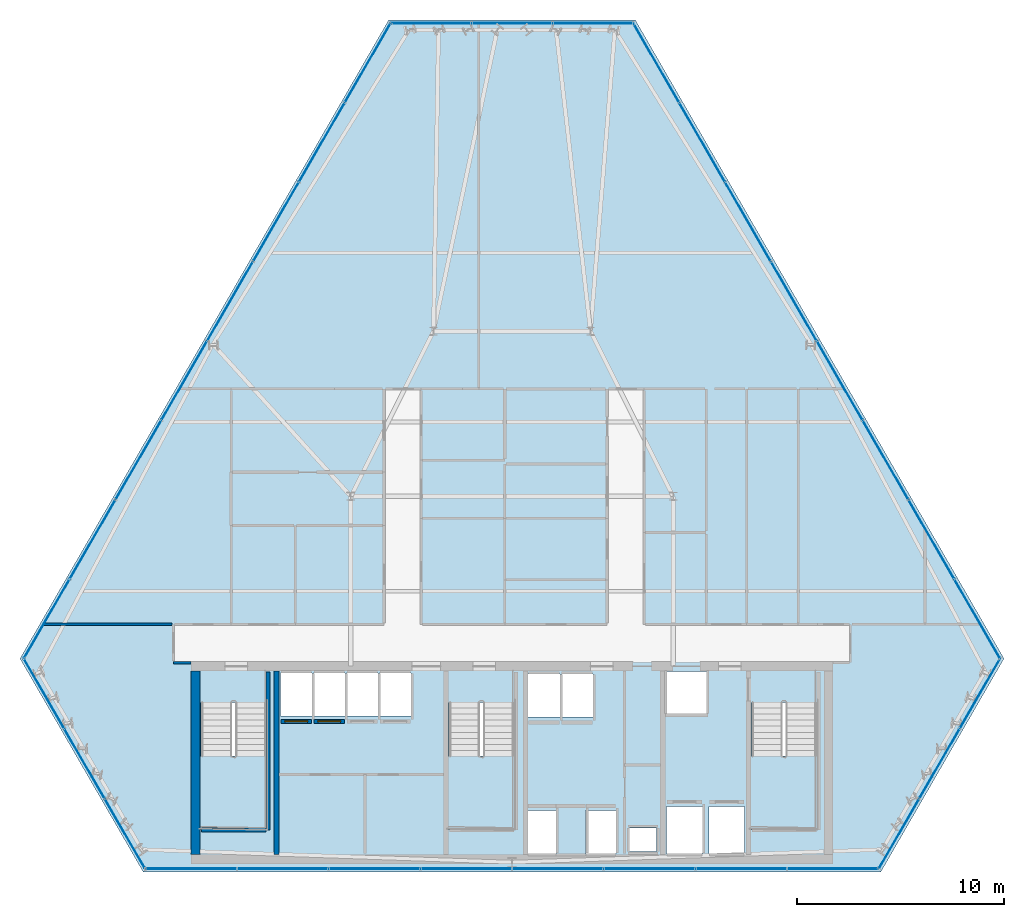
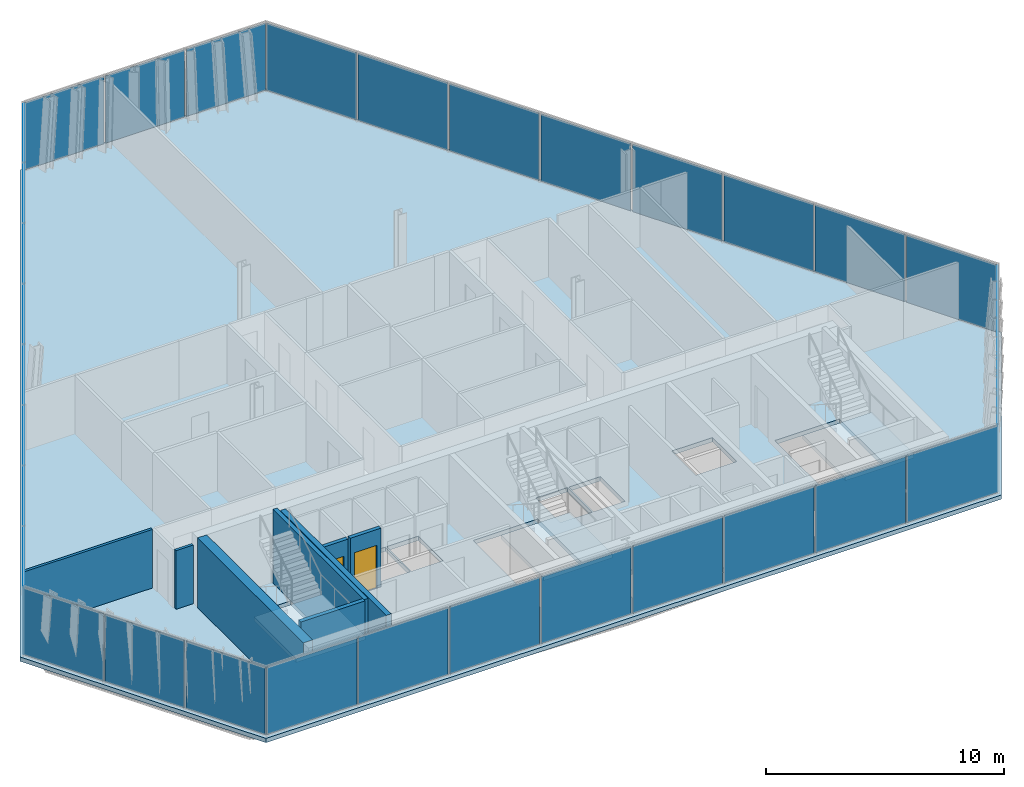
# One storey, part 24 of 31: 33 plates, 8 walls, 4 slabs, 2 doors, 2 openings, 9 elements without a shape of their own.
"""IFC4 building model written with IfcOpenShell, lengths in metres."""

import ifcopenshell
import ifcopenshell.guid

model = None  # the IFC model being written
_history = None  # IfcOwnerHistory: only IFC2X3 demands one
_inside = {}  # id of a spatial element -> (the spatial element, [elements in it])
_under = {}  # id of a project, library or spatial element -> (it, [spatial elements below it])
_declared = {}  # id of a project -> (the project, [libraries it declares])
_typed = {}  # id of a type object -> (the type object, [elements of that type])
_made_of = {}  # id of a material, layer set ... -> (it, [elements and type objects made of it])


def new_model(schema):
    """Start an empty IFC model of exactly this schema.

    Asked for "IFC4X3", IfcOpenShell would pick the latest addendum, in which some entities
    have other attributes; the version numbers below select the first issue.
    IFC2X3 requires an IfcOwnerHistory on every rooted entity: one is made here for all.
    """
    global model, _history
    if schema == "IFC4X3":
        model = ifcopenshell.file(schema_version=(4, 3, 0, 0))
    else:
        model = ifcopenshell.file(schema=schema)
    _inside.clear()
    _under.clear()
    _declared.clear()
    _typed.clear()
    _made_of.clear()
    _history = None
    if model.schema == "IFC2X3":
        org = make("IfcOrganization", Name="unknown")
        user = make(
            "IfcPersonAndOrganization",
            ThePerson=make("IfcPerson", FamilyName="unknown"),
            TheOrganization=org,
        )
        app = make(
            "IfcApplication",
            ApplicationDeveloper=org,
            Version="unknown",
            ApplicationFullName="unknown",
            ApplicationIdentifier="unknown",
        )
        _history = make(
            "IfcOwnerHistory",
            OwningUser=user,
            OwningApplication=app,
            ChangeAction="ADDED",
            CreationDate=0,
        )
    return model


def make(cls, **values):
    """One entity of the class cls with the attributes given. An attribute that is None is left unset."""
    return model.create_entity(
        cls, **{name: value for name, value in values.items() if value is not None}
    )


def rooted(cls, **values):
    """An entity with a GlobalId (a new one), such as an element, a storey or a relation."""
    return make(cls, GlobalId=ifcopenshell.guid.new(), OwnerHistory=_history, **values)


def si_unit(unit_type, name, prefix=None):
    """IfcSIUnit, for example si_unit("LENGTHUNIT", "METRE", prefix="MILLI")."""
    return make("IfcSIUnit", UnitType=unit_type, Prefix=prefix, Name=name)


def assignment(units):
    """IfcUnitAssignment: the units of a project."""
    return None if units is None else make("IfcUnitAssignment", Units=units)


def point(xyz):
    """IfcCartesianPoint."""
    return None if xyz is None else make("IfcCartesianPoint", Coordinates=xyz)


def direction(xyz):
    """IfcDirection."""
    return None if xyz is None else make("IfcDirection", DirectionRatios=xyz)


def frame(location, z_axis=None, x_axis=None):
    """IfcAxis2Placement3D, a coordinate frame: its origin and axes. An axis left out is left unset."""
    return make(
        "IfcAxis2Placement3D",
        Location=point(location),
        Axis=direction(z_axis),
        RefDirection=direction(x_axis),
    )


def frame_2d(location, x_axis=None):
    """IfcAxis2Placement2D, a coordinate frame in the plane: its origin and x axis."""
    return make(
        "IfcAxis2Placement2D", Location=point(location), RefDirection=direction(x_axis)
    )


def origin():
    """The frame at (0, 0, 0) with its axes left unset."""
    return frame((0.0, 0.0, 0.0))


def origin_2d():
    """The frame at (0, 0) in the plane with its x axis left unset."""
    return frame_2d((0.0, 0.0))


def place(relative_to, where):
    """IfcLocalPlacement: puts the frame where relative to a parent placement (None: the world)."""
    return make(
        "IfcLocalPlacement", PlacementRelTo=relative_to, RelativePlacement=where
    )


def context(
    kind, dimensions, precision=None, world=None, true_north=None, identifier=None
):
    """IfcGeometricRepresentationContext, for example the 3D "Model" context."""
    return make(
        "IfcGeometricRepresentationContext",
        ContextIdentifier=identifier,
        ContextType=kind,
        CoordinateSpaceDimension=dimensions,
        Precision=precision,
        WorldCoordinateSystem=world,
        TrueNorth=true_north,
    )


def subcontext(parent, identifier, kind, view, scale=None):
    """IfcGeometricRepresentationSubContext, for example "Body" below "Model"."""
    return make(
        "IfcGeometricRepresentationSubContext",
        ContextIdentifier=identifier,
        ContextType=kind,
        ParentContext=parent,
        TargetScale=scale,
        TargetView=view,
    )


def project(units=None, contexts=None):
    """IfcProject with its units and contexts."""
    return rooted(
        "IfcProject",
        Name="project",
        RepresentationContexts=contexts,
        UnitsInContext=assignment(units),
    )


def spatial(cls, under=None, at=None, **own):
    """A site, building, storey or space (cls), placed at a placement, below another one or the project."""
    s = rooted(cls, ObjectPlacement=at, **own)
    if under is not None:
        _under.setdefault(under.id(), (under, []))[1].append(s)
    return s


def polyline(points):
    """IfcPolyline through the points."""
    return make("IfcPolyline", Points=[point(p) for p in points])


def profile(cls, at=None, kind="AREA", **sizes):
    """A parametric profile (cls). Its sizes go by their IFC names, for example OverallWidth=200.0."""
    return make(cls, ProfileType=kind, Position=at, **sizes)


def rectangle(**sizes):
    """IfcRectangleProfileDef."""
    return profile("IfcRectangleProfileDef", **sizes)


def outline(outer, holes=None, kind="AREA"):
    """IfcArbitraryClosedProfileDef: a profile drawn as a closed curve; with holes, ...WithVoids."""
    if holes is None:
        return make("IfcArbitraryClosedProfileDef", ProfileType=kind, OuterCurve=outer)
    return make(
        "IfcArbitraryProfileDefWithVoids",
        ProfileType=kind,
        OuterCurve=outer,
        InnerCurves=holes,
    )


def extrude(swept, where, along, depth):
    """IfcExtrudedAreaSolid: the profile swept, set in the frame where, extruded along a direction by depth."""
    return make(
        "IfcExtrudedAreaSolid",
        SweptArea=swept,
        Position=where,
        ExtrudedDirection=direction(along),
        Depth=depth,
    )


def shape(context_of_items, identifier, shape_type, items):
    """IfcShapeRepresentation: the items that make up one representation, for example the "Body"."""
    return make(
        "IfcShapeRepresentation",
        ContextOfItems=context_of_items,
        RepresentationIdentifier=identifier,
        RepresentationType=shape_type,
        Items=items,
    )


def material(Name=None, Category=None):
    """IfcMaterial."""
    return make("IfcMaterial", Name=Name, Category=Category)


def layer(
    of_material, thickness, ventilated=None, Name=None, Category=None, Priority=None
):
    """IfcMaterialLayer: one layer of a wall or slab, of a material (None: an air gap)."""
    return make(
        "IfcMaterialLayer",
        Material=of_material,
        LayerThickness=thickness,
        IsVentilated=ventilated,
        Name=Name,
        Category=Category,
        Priority=Priority,
    )


def layer_set(layers, Name=None):
    """IfcMaterialLayerSet."""
    return make("IfcMaterialLayerSet", MaterialLayers=layers, LayerSetName=Name)


def made_of(thing, what):
    """Note that an element or type object is made of a material, layer set ...; save() writes the relation."""
    if what is not None:
        _made_of.setdefault(what.id(), (what, []))[1].append(thing)
    return thing


def type_object(cls, material=None, **own):
    """A type object (cls), such as IfcWallType, which elements share."""
    return made_of(rooted(cls, **own), material)


def element(
    cls,
    number,
    at=None,
    inside=None,
    cuts=None,
    type_object=None,
    material=None,
    context=None,
    identifier="Body",
    shape_type=None,
    held_by="IfcProductDefinitionShape",
    body=None,
    shapes=None,
    **own,
):
    """One element of the class cls, such as IfcWall. Its Tag is "e" and its number.

    at: its placement. inside: the storey or other place that contains it. cuts: it is an
    opening in that element (IfcRelVoidsElement). A single representation is given by context,
    identifier, shape_type and body (its items); several are given by shapes. held_by: the class
    of the entity that holds the representations. save() writes the other relations.
    """
    e = rooted(cls, Tag="e%d" % number, ObjectPlacement=at, **own)
    if body is not None:
        shapes = [shape(context, identifier, shape_type, body)]
    if shapes is not None:
        e.Representation = make(held_by, Representations=shapes)
    if inside is not None:
        _inside.setdefault(inside.id(), (inside, []))[1].append(e)
    if cuts is not None:
        rooted(
            "IfcRelVoidsElement", RelatingBuildingElement=cuts, RelatedOpeningElement=e
        )
    if type_object is not None:
        _typed.setdefault(type_object.id(), (type_object, []))[1].append(e)
    return made_of(e, material)


def fill(opening, filler):
    """IfcRelFillsElement: the door or window that sits in an opening."""
    return rooted(
        "IfcRelFillsElement",
        RelatingOpeningElement=opening,
        RelatedBuildingElement=filler,
    )


def aggregate(whole, parts):
    """IfcRelAggregates: a whole, such as a stair, and the parts it consists of."""
    return rooted("IfcRelAggregates", RelatingObject=whole, RelatedObjects=parts)


def save(model, path):
    """Write the relations noted so far, then the file.

    IfcRelAggregates (storeys below a building ...), IfcRelContainedInSpatialStructure (elements
    in a storey), IfcRelDefinesByType, IfcRelAssociatesMaterial and IfcRelDeclares: one each for
    every whole, place, type object, material and project.
    """
    for whole, parts in _under.values():
        aggregate(whole, parts)
    for where, things in _inside.values():
        rooted(
            "IfcRelContainedInSpatialStructure",
            RelatedElements=things,
            RelatingStructure=where,
        )
    for kind, things in _typed.values():
        rooted("IfcRelDefinesByType", RelatedObjects=things, RelatingType=kind)
    for what, things in _made_of.values():
        rooted("IfcRelAssociatesMaterial", RelatedObjects=things, RelatingMaterial=what)
    for by, libraries in _declared.values():
        rooted("IfcRelDeclares", RelatingContext=by, RelatedDefinitions=libraries)
    model.write(path)


model = new_model("IFC4")

# Units and contexts
model_context = context("Model", 3, precision=1e-05, world=origin(), true_north=direction((0.0, 1.0)))
body_context = subcontext(model_context, "Body", "Model", "MODEL_VIEW")
ifc_project = project(units=[si_unit("LENGTHUNIT", "METRE"), si_unit("AREAUNIT", "SQUARE_METRE"), si_unit("VOLUMEUNIT", "CUBIC_METRE"), si_unit("PLANEANGLEUNIT", "RADIAN"), si_unit("MASSUNIT", "GRAM", prefix="KILO")], contexts=[model_context])

# Site, building, storey
site_placement = place(None, origin())
site = spatial("IfcSite", under=ifc_project, at=site_placement, CompositionType="ELEMENT")
building_placement = place(site_placement, origin())
building = spatial("IfcBuilding", under=site, at=building_placement, Name="Ndaravel Arena Tower", CompositionType="ELEMENT")
storey_placement = place(building_placement, frame((0.0, 0.0, 146.0)))
storey = spatial("IfcBuildingStorey", under=building, at=storey_placement, Name="L34", CompositionType="ELEMENT", Elevation=146.0)

# Curtain wall, plate
ifc_material_1 = material(Name="Aluminium", Category="aluminium")
ifc_layer_1 = layer(ifc_material_1, 0.179931640625)
ifc_layer_set_1 = layer_set([ifc_layer_1], Name="Aluminium")
curtain_wall_type_1 = type_object("IfcCurtainWallType", Name="CW-SYS-01", PredefinedType="NOTDEFINED", material=ifc_layer_set_1)
curtain_wall_1_placement = place(storey_placement, origin())
curtain_wall_1 = element("IfcCurtainWall", 1, at=curtain_wall_1_placement, inside=storey, type_object=curtain_wall_type_1, Name="L34 Faceted Crystal Curtain Wall CW-L34-E02", PredefinedType="NOTDEFINED")
ifc_material_2 = material(Name="Glazing", Category="glass")
ifc_layer_2 = layer(ifc_material_2, 0.035888671875)
ifc_layer_set_2 = layer_set([ifc_layer_2], Name="Glazing")
plate_type_1 = type_object("IfcPlateType", Name="PLT-CW-OPVENT", PredefinedType="CURTAIN_PANEL", material=ifc_layer_set_2)
plate_1_placement = place(storey_placement, frame((62.69970703125, 10.251708984375, 0.06005859375), z_axis=(0.0, 0.0, 1.0), x_axis=(0.5, 0.866025403784, 0.0)))
plate_1 = element("IfcPlate", 2, at=plate_1_placement, type_object=plate_type_1, Name="CW-L34-E02 Operable Vent Sash Panel 02", PredefinedType="CURTAIN_PANEL", context=body_context, shape_type="SweptSolid", body=[
    extrude(rectangle(XDim=3.839599609375, YDim=0.035888671875, at=origin_2d()), origin(), (0.0, 0.0, 1.0), 3.4599609375),
])

curtain_wall_2_placement = place(storey_placement, origin())
curtain_wall_2 = element("IfcCurtainWall", 3, at=curtain_wall_2_placement, inside=storey, type_object=curtain_wall_type_1, Name="L34 Faceted Crystal Curtain Wall CW-L34-E04", PredefinedType="NOTDEFINED")
plate_2_placement = place(storey_placement, frame((42.0, 46.10498046875, 0.06005859375), z_axis=(0.0, 0.0, 1.0), x_axis=(-1.0, 0.0, 0.0)))
plate_2 = element("IfcPlate", 4, at=plate_2_placement, type_object=plate_type_1, Name="CW-L34-E04 Operable Vent Sash Panel 02", PredefinedType="CURTAIN_PANEL", context=body_context, shape_type="SweptSolid", body=[
    extrude(rectangle(XDim=3.839599609375, YDim=0.035888671875, at=origin_2d()), origin(), (0.0, 0.0, 1.0), 3.4599609375),
])

ifc_material_3 = material(Name="Aluminium", Category="aluminium")
ifc_layer_3 = layer(ifc_material_3, 0.179931640625)
ifc_layer_set_3 = layer_set([ifc_layer_3], Name="Aluminium")
curtain_wall_type_2 = type_object("IfcCurtainWallType", Name="CW-SYS-02", PredefinedType="NOTDEFINED", material=ifc_layer_set_3)
curtain_wall_3_placement = place(storey_placement, origin())
curtain_wall_3 = element("IfcCurtainWall", 5, at=curtain_wall_3_placement, inside=storey, type_object=curtain_wall_type_2, Name="L34 Faceted Crystal Curtain Wall CW-L34-E06", PredefinedType="NOTDEFINED")
plate_3_placement = place(storey_placement, frame((21.300048828125, 10.251708984375, 0.06005859375), z_axis=(0.0, 0.0, 1.0), x_axis=(0.5, -0.866025403784, 0.0)))
plate_3 = element("IfcPlate", 6, at=plate_3_placement, type_object=plate_type_1, Name="CW-L34-E06 Operable Vent Sash Panel 02", PredefinedType="CURTAIN_PANEL", context=body_context, shape_type="SweptSolid", body=[
    extrude(rectangle(XDim=3.839599609375, YDim=0.035888671875, at=origin_2d()), origin(), (0.0, 0.0, 1.0), 3.4599609375),
])

# Plate
ifc_material_4 = material(Name="Glazing", Category="glass")
ifc_layer_4 = layer(ifc_material_4, 0.031982421875)
ifc_layer_set_4 = layer_set([ifc_layer_4], Name="Glazing")
plate_type_2 = type_object("IfcPlateType", Name="PLT-GLZ-FRIT35", PredefinedType="CURTAIN_PANEL", material=ifc_layer_set_4)
plate_4_placement = place(storey_placement, frame((60.739990234375, 6.857177734375, 0.06005859375), z_axis=(0.0, 0.0, 1.0), x_axis=(0.5, 0.866025403784, 0.0)))
plate_4 = element("IfcPlate", 7, at=plate_4_placement, type_object=plate_type_2, Name="CW-L34-E02 Vision Glass Panel 01", PredefinedType="CURTAIN_PANEL", context=body_context, shape_type="SweptSolid", body=[
    extrude(rectangle(XDim=3.839599609375, YDim=0.035888671875, at=origin_2d()), origin(), (0.0, 0.0, 1.0), 3.4599609375),
])

plate_5_placement = place(storey_placement, frame((64.65966796875, 13.64599609375, 0.06005859375), z_axis=(0.0, 0.0, 1.0), x_axis=(0.5, 0.866025403784, 0.0)))
plate_5 = element("IfcPlate", 8, at=plate_5_placement, type_object=plate_type_2, Name="CW-L34-E02 Vision Glass Panel 03", PredefinedType="CURTAIN_PANEL", context=body_context, shape_type="SweptSolid", body=[
    extrude(rectangle(XDim=3.839599609375, YDim=0.035888671875, at=origin_2d()), origin(), (0.0, 0.0, 1.0), 3.4599609375),
])

aggregate(curtain_wall_1, [plate_4, plate_1, plate_5])

plate_6_placement = place(storey_placement, frame((45.91943359375, 46.10498046875, 0.06005859375), z_axis=(0.0, 0.0, 1.0), x_axis=(-1.0, 0.0, 0.0)))
plate_6 = element("IfcPlate", 9, at=plate_6_placement, type_object=plate_type_2, Name="CW-L34-E04 Vision Glass Panel 01", PredefinedType="CURTAIN_PANEL", context=body_context, shape_type="SweptSolid", body=[
    extrude(rectangle(XDim=3.839599609375, YDim=0.035888671875, at=origin_2d()), origin(), (0.0, 0.0, 1.0), 3.4599609375),
])

plate_7_placement = place(storey_placement, frame((38.08056640625, 46.10498046875, 0.06005859375), z_axis=(0.0, 0.0, 1.0), x_axis=(-1.0, 0.0, 0.0)))
plate_7 = element("IfcPlate", 10, at=plate_7_placement, type_object=plate_type_2, Name="CW-L34-E04 Vision Glass Panel 03", PredefinedType="CURTAIN_PANEL", context=body_context, shape_type="SweptSolid", body=[
    extrude(rectangle(XDim=3.839599609375, YDim=0.035888671875, at=origin_2d()), origin(), (0.0, 0.0, 1.0), 3.4599609375),
])

aggregate(curtain_wall_2, [plate_6, plate_2, plate_7])

ifc_material_5 = material(Name="Glazing", Category="glass")
ifc_layer_5 = layer(ifc_material_5, 0.035888671875)
ifc_layer_set_5 = layer_set([ifc_layer_5], Name="Glazing")
plate_type_3 = type_object("IfcPlateType", Name="PLT-GLZ-FRIT55", PredefinedType="CURTAIN_PANEL", material=ifc_layer_set_5)
plate_8_placement = place(storey_placement, frame((19.34033203125, 13.64599609375, 0.06005859375), z_axis=(0.0, 0.0, 1.0), x_axis=(0.5, -0.866025403784, 0.0)))
plate_8 = element("IfcPlate", 11, at=plate_8_placement, type_object=plate_type_3, Name="CW-L34-E06 Vision Glass Panel 01", PredefinedType="CURTAIN_PANEL", context=body_context, shape_type="SweptSolid", body=[
    extrude(rectangle(XDim=3.839599609375, YDim=0.035888671875, at=origin_2d()), origin(), (0.0, 0.0, 1.0), 3.4599609375),
])

plate_9_placement = place(storey_placement, frame((23.260009765625, 6.857177734375, 0.06005859375), z_axis=(0.0, 0.0, 1.0), x_axis=(0.5, -0.866025403784, 0.0)))
plate_9 = element("IfcPlate", 12, at=plate_9_placement, type_object=plate_type_3, Name="CW-L34-E06 Vision Glass Panel 03", PredefinedType="CURTAIN_PANEL", context=body_context, shape_type="SweptSolid", body=[
    extrude(rectangle(XDim=3.839599609375, YDim=0.035888671875, at=origin_2d()), origin(), (0.0, 0.0, 1.0), 3.4599609375),
])

aggregate(curtain_wall_3, [plate_8, plate_3, plate_9])

# Curtain wall, plates
ifc_material_6 = material(Name="Aluminium", Category="aluminium")
ifc_layer_6 = layer(ifc_material_6, 0.179931640625)
ifc_layer_set_6 = layer_set([ifc_layer_6], Name="Aluminium")
curtain_wall_type_3 = type_object("IfcCurtainWallType", Name="CW-SYS-03", PredefinedType="NOTDEFINED", material=ifc_layer_set_6)
curtain_wall_4_placement = place(storey_placement, origin())
curtain_wall_4 = element("IfcCurtainWall", 13, at=curtain_wall_4_placement, inside=storey, type_object=curtain_wall_type_3, Name="L34 Faceted Crystal Curtain Wall CW-L34-E01", PredefinedType="NOTDEFINED")
ifc_material_7 = material(Name="Glazing", Category="glass")
ifc_layer_7 = layer(ifc_material_7, 0.0400390625)
ifc_layer_set_7 = layer_set([ifc_layer_7], Name="Glazing")
plate_type_4 = type_object("IfcPlateType", Name="PLT-GLZ-LOWIRON", PredefinedType="CURTAIN_PANEL", material=ifc_layer_set_7)
plate_10_placement = place(storey_placement, frame((26.459716796875, 5.159912109375, 0.06005859375), z_axis=(0.0, 0.0, 1.0), x_axis=(1.0, 0.0, 0.0)))
plate_10 = element("IfcPlate", 14, at=plate_10_placement, type_object=plate_type_4, Name="CW-L34-E01 Vision Glass Panel 01", PredefinedType="CURTAIN_PANEL", context=body_context, shape_type="SweptSolid", body=[
    extrude(rectangle(XDim=4.360107421875, YDim=0.035888671875, at=origin_2d()), origin(), (0.0, 0.0, 1.0), 3.4599609375),
])
plate_11_placement = place(storey_placement, frame((30.89990234375, 5.159912109375, 0.06005859375), z_axis=(0.0, 0.0, 1.0), x_axis=(1.0, 0.0, 0.0)))
plate_11 = element("IfcPlate", 15, at=plate_11_placement, type_object=plate_type_4, Name="CW-L34-E01 Vision Glass Panel 02", PredefinedType="CURTAIN_PANEL", context=body_context, shape_type="SweptSolid", body=[
    extrude(rectangle(XDim=4.360107421875, YDim=0.035888671875, at=origin_2d()), origin(), (0.0, 0.0, 1.0), 3.4599609375),
])
plate_12_placement = place(storey_placement, frame((35.33984375, 5.159912109375, 0.06005859375), z_axis=(0.0, 0.0, 1.0), x_axis=(1.0, 0.0, 0.0)))
plate_12 = element("IfcPlate", 16, at=plate_12_placement, type_object=plate_type_4, Name="CW-L34-E01 Vision Glass Panel 03", PredefinedType="CURTAIN_PANEL", context=body_context, shape_type="SweptSolid", body=[
    extrude(rectangle(XDim=4.360107421875, YDim=0.035888671875, at=origin_2d()), origin(), (0.0, 0.0, 1.0), 3.4599609375),
])
plate_13_placement = place(storey_placement, frame((39.780029296875, 5.159912109375, 0.06005859375), z_axis=(0.0, 0.0, 1.0), x_axis=(1.0, 0.0, 0.0)))
plate_13 = element("IfcPlate", 17, at=plate_13_placement, type_object=plate_type_4, Name="CW-L34-E01 Vision Glass Panel 04", PredefinedType="CURTAIN_PANEL", context=body_context, shape_type="SweptSolid", body=[
    extrude(rectangle(XDim=4.360107421875, YDim=0.035888671875, at=origin_2d()), origin(), (0.0, 0.0, 1.0), 3.4599609375),
])
plate_14_placement = place(storey_placement, frame((44.219970703125, 5.159912109375, 0.06005859375), z_axis=(0.0, 0.0, 1.0), x_axis=(1.0, 0.0, 0.0)))
plate_14 = element("IfcPlate", 18, at=plate_14_placement, type_object=plate_type_4, Name="CW-L34-E01 Vision Glass Panel 05", PredefinedType="CURTAIN_PANEL", context=body_context, shape_type="SweptSolid", body=[
    extrude(rectangle(XDim=4.360107421875, YDim=0.035888671875, at=origin_2d()), origin(), (0.0, 0.0, 1.0), 3.4599609375),
])
plate_15_placement = place(storey_placement, frame((48.66015625, 5.159912109375, 0.06005859375), z_axis=(0.0, 0.0, 1.0), x_axis=(1.0, 0.0, 0.0)))
plate_15 = element("IfcPlate", 19, at=plate_15_placement, type_object=plate_type_4, Name="CW-L34-E01 Vision Glass Panel 06", PredefinedType="CURTAIN_PANEL", context=body_context, shape_type="SweptSolid", body=[
    extrude(rectangle(XDim=4.360107421875, YDim=0.035888671875, at=origin_2d()), origin(), (0.0, 0.0, 1.0), 3.4599609375),
])
plate_16_placement = place(storey_placement, frame((53.10009765625, 5.159912109375, 0.06005859375), z_axis=(0.0, 0.0, 1.0), x_axis=(1.0, 0.0, 0.0)))
plate_16 = element("IfcPlate", 20, at=plate_16_placement, type_object=plate_type_4, Name="CW-L34-E01 Vision Glass Panel 07", PredefinedType="CURTAIN_PANEL", context=body_context, shape_type="SweptSolid", body=[
    extrude(rectangle(XDim=4.360107421875, YDim=0.035888671875, at=origin_2d()), origin(), (0.0, 0.0, 1.0), 3.4599609375),
])
plate_17_placement = place(storey_placement, frame((57.540283203125, 5.159912109375, 0.06005859375), z_axis=(0.0, 0.0, 1.0), x_axis=(1.0, 0.0, 0.0)))
plate_17 = element("IfcPlate", 21, at=plate_17_placement, type_object=plate_type_4, Name="CW-L34-E01 Vision Glass Panel 08", PredefinedType="CURTAIN_PANEL", context=body_context, shape_type="SweptSolid", body=[
    extrude(rectangle(XDim=4.360107421875, YDim=0.035888671875, at=origin_2d()), origin(), (0.0, 0.0, 1.0), 3.4599609375),
])
aggregate(curtain_wall_4, [plate_10, plate_11, plate_12, plate_13, plate_14, plate_15, plate_16, plate_17])

curtain_wall_5_placement = place(storey_placement, origin())
curtain_wall_5 = element("IfcCurtainWall", 22, at=curtain_wall_5_placement, inside=storey, type_object=curtain_wall_type_3, Name="L34 Faceted Crystal Curtain Wall CW-L34-E03", PredefinedType="NOTDEFINED")
plate_18_placement = place(storey_placement, frame((64.529541015625, 17.265869140625, 0.06005859375), z_axis=(0.0, 0.0, 1.0), x_axis=(-0.5, 0.866025403784, 0.0)))
plate_18 = element("IfcPlate", 23, at=plate_18_placement, type_object=plate_type_4, Name="CW-L34-E03 Vision Glass Panel 01", PredefinedType="CURTAIN_PANEL", context=body_context, shape_type="SweptSolid", body=[
    extrude(rectangle(XDim=4.360107421875, YDim=0.035888671875, at=origin_2d()), origin(), (0.0, 0.0, 1.0), 3.4599609375),
])
plate_19_placement = place(storey_placement, frame((62.3095703125, 21.111083984375, 0.06005859375), z_axis=(0.0, 0.0, 1.0), x_axis=(-0.5, 0.866025403784, 0.0)))
plate_19 = element("IfcPlate", 24, at=plate_19_placement, type_object=plate_type_4, Name="CW-L34-E03 Vision Glass Panel 02", PredefinedType="CURTAIN_PANEL", context=body_context, shape_type="SweptSolid", body=[
    extrude(rectangle(XDim=4.360107421875, YDim=0.035888671875, at=origin_2d()), origin(), (0.0, 0.0, 1.0), 3.4599609375),
])
plate_20_placement = place(storey_placement, frame((60.08935546875, 24.956298828125, 0.06005859375), z_axis=(0.0, 0.0, 1.0), x_axis=(-0.5, 0.866025403784, 0.0)))
plate_20 = element("IfcPlate", 25, at=plate_20_placement, type_object=plate_type_4, Name="CW-L34-E03 Vision Glass Panel 03", PredefinedType="CURTAIN_PANEL", context=body_context, shape_type="SweptSolid", body=[
    extrude(rectangle(XDim=4.360107421875, YDim=0.035888671875, at=origin_2d()), origin(), (0.0, 0.0, 1.0), 3.4599609375),
])
plate_21_placement = place(storey_placement, frame((57.869384765625, 28.801513671875, 0.06005859375), z_axis=(0.0, 0.0, 1.0), x_axis=(-0.5, 0.866025403784, 0.0)))
plate_21 = element("IfcPlate", 26, at=plate_21_placement, type_object=plate_type_4, Name="CW-L34-E03 Vision Glass Panel 04", PredefinedType="CURTAIN_PANEL", context=body_context, shape_type="SweptSolid", body=[
    extrude(rectangle(XDim=4.360107421875, YDim=0.035888671875, at=origin_2d()), origin(), (0.0, 0.0, 1.0), 3.4599609375),
])
plate_22_placement = place(storey_placement, frame((55.6494140625, 32.646728515625, 0.06005859375), z_axis=(0.0, 0.0, 1.0), x_axis=(-0.5, 0.866025403784, 0.0)))
plate_22 = element("IfcPlate", 27, at=plate_22_placement, type_object=plate_type_4, Name="CW-L34-E03 Vision Glass Panel 05", PredefinedType="CURTAIN_PANEL", context=body_context, shape_type="SweptSolid", body=[
    extrude(rectangle(XDim=4.360107421875, YDim=0.035888671875, at=origin_2d()), origin(), (0.0, 0.0, 1.0), 3.4599609375),
])
plate_23_placement = place(storey_placement, frame((53.429443359375, 36.491943359375, 0.06005859375), z_axis=(0.0, 0.0, 1.0), x_axis=(-0.5, 0.866025403784, 0.0)))
plate_23 = element("IfcPlate", 28, at=plate_23_placement, type_object=plate_type_4, Name="CW-L34-E03 Vision Glass Panel 06", PredefinedType="CURTAIN_PANEL", context=body_context, shape_type="SweptSolid", body=[
    extrude(rectangle(XDim=4.360107421875, YDim=0.035888671875, at=origin_2d()), origin(), (0.0, 0.0, 1.0), 3.4599609375),
])
plate_24_placement = place(storey_placement, frame((51.209228515625, 40.337158203125, 0.06005859375), z_axis=(0.0, 0.0, 1.0), x_axis=(-0.5, 0.866025403784, 0.0)))
plate_24 = element("IfcPlate", 29, at=plate_24_placement, type_object=plate_type_4, Name="CW-L34-E03 Vision Glass Panel 07", PredefinedType="CURTAIN_PANEL", context=body_context, shape_type="SweptSolid", body=[
    extrude(rectangle(XDim=4.360107421875, YDim=0.035888671875, at=origin_2d()), origin(), (0.0, 0.0, 1.0), 3.4599609375),
])
plate_25_placement = place(storey_placement, frame((48.9892578125, 44.182373046875, 0.06005859375), z_axis=(0.0, 0.0, 1.0), x_axis=(-0.5, 0.866025403784, 0.0)))
plate_25 = element("IfcPlate", 30, at=plate_25_placement, type_object=plate_type_4, Name="CW-L34-E03 Vision Glass Panel 08", PredefinedType="CURTAIN_PANEL", context=body_context, shape_type="SweptSolid", body=[
    extrude(rectangle(XDim=4.360107421875, YDim=0.035888671875, at=origin_2d()), origin(), (0.0, 0.0, 1.0), 3.4599609375),
])
aggregate(curtain_wall_5, [plate_18, plate_19, plate_20, plate_21, plate_22, plate_23, plate_24, plate_25])

curtain_wall_6_placement = place(storey_placement, origin())
curtain_wall_6 = element("IfcCurtainWall", 31, at=curtain_wall_6_placement, inside=storey, type_object=curtain_wall_type_3, Name="L34 Faceted Crystal Curtain Wall CW-L34-E05", PredefinedType="NOTDEFINED")
plate_26_placement = place(storey_placement, frame((35.0107421875, 44.182373046875, 0.06005859375), z_axis=(0.0, 0.0, 1.0), x_axis=(-0.5, -0.866025403784, 0.0)))
plate_26 = element("IfcPlate", 32, at=plate_26_placement, type_object=plate_type_4, Name="CW-L34-E05 Vision Glass Panel 01", PredefinedType="CURTAIN_PANEL", context=body_context, shape_type="SweptSolid", body=[
    extrude(rectangle(XDim=4.360107421875, YDim=0.035888671875, at=origin_2d()), origin(), (0.0, 0.0, 1.0), 3.4599609375),
])
plate_27_placement = place(storey_placement, frame((32.790771484375, 40.337158203125, 0.06005859375), z_axis=(0.0, 0.0, 1.0), x_axis=(-0.5, -0.866025403784, 0.0)))
plate_27 = element("IfcPlate", 33, at=plate_27_placement, type_object=plate_type_4, Name="CW-L34-E05 Vision Glass Panel 02", PredefinedType="CURTAIN_PANEL", context=body_context, shape_type="SweptSolid", body=[
    extrude(rectangle(XDim=4.360107421875, YDim=0.035888671875, at=origin_2d()), origin(), (0.0, 0.0, 1.0), 3.4599609375),
])
plate_28_placement = place(storey_placement, frame((30.570556640625, 36.491943359375, 0.06005859375), z_axis=(0.0, 0.0, 1.0), x_axis=(-0.5, -0.866025403784, 0.0)))
plate_28 = element("IfcPlate", 34, at=plate_28_placement, type_object=plate_type_4, Name="CW-L34-E05 Vision Glass Panel 03", PredefinedType="CURTAIN_PANEL", context=body_context, shape_type="SweptSolid", body=[
    extrude(rectangle(XDim=4.360107421875, YDim=0.035888671875, at=origin_2d()), origin(), (0.0, 0.0, 1.0), 3.4599609375),
])
plate_29_placement = place(storey_placement, frame((28.3505859375, 32.646728515625, 0.06005859375), z_axis=(0.0, 0.0, 1.0), x_axis=(-0.5, -0.866025403784, 0.0)))
plate_29 = element("IfcPlate", 35, at=plate_29_placement, type_object=plate_type_4, Name="CW-L34-E05 Vision Glass Panel 04", PredefinedType="CURTAIN_PANEL", context=body_context, shape_type="SweptSolid", body=[
    extrude(rectangle(XDim=4.360107421875, YDim=0.035888671875, at=origin_2d()), origin(), (0.0, 0.0, 1.0), 3.4599609375),
])
plate_30_placement = place(storey_placement, frame((26.130615234375, 28.801513671875, 0.06005859375), z_axis=(0.0, 0.0, 1.0), x_axis=(-0.5, -0.866025403784, 0.0)))
plate_30 = element("IfcPlate", 36, at=plate_30_placement, type_object=plate_type_4, Name="CW-L34-E05 Vision Glass Panel 05", PredefinedType="CURTAIN_PANEL", context=body_context, shape_type="SweptSolid", body=[
    extrude(rectangle(XDim=4.360107421875, YDim=0.035888671875, at=origin_2d()), origin(), (0.0, 0.0, 1.0), 3.4599609375),
])
plate_31_placement = place(storey_placement, frame((23.91064453125, 24.956298828125, 0.06005859375), z_axis=(0.0, 0.0, 1.0), x_axis=(-0.5, -0.866025403784, 0.0)))
plate_31 = element("IfcPlate", 37, at=plate_31_placement, type_object=plate_type_4, Name="CW-L34-E05 Vision Glass Panel 06", PredefinedType="CURTAIN_PANEL", context=body_context, shape_type="SweptSolid", body=[
    extrude(rectangle(XDim=4.360107421875, YDim=0.035888671875, at=origin_2d()), origin(), (0.0, 0.0, 1.0), 3.4599609375),
])
plate_32_placement = place(storey_placement, frame((21.6904296875, 21.111083984375, 0.06005859375), z_axis=(0.0, 0.0, 1.0), x_axis=(-0.5, -0.866025403784, 0.0)))
plate_32 = element("IfcPlate", 38, at=plate_32_placement, type_object=plate_type_4, Name="CW-L34-E05 Vision Glass Panel 07", PredefinedType="CURTAIN_PANEL", context=body_context, shape_type="SweptSolid", body=[
    extrude(rectangle(XDim=4.360107421875, YDim=0.035888671875, at=origin_2d()), origin(), (0.0, 0.0, 1.0), 3.4599609375),
])
plate_33_placement = place(storey_placement, frame((19.470458984375, 17.265869140625, 0.06005859375), z_axis=(0.0, 0.0, 1.0), x_axis=(-0.5, -0.866025403784, 0.0)))
plate_33 = element("IfcPlate", 39, at=plate_33_placement, type_object=plate_type_4, Name="CW-L34-E05 Vision Glass Panel 08", PredefinedType="CURTAIN_PANEL", context=body_context, shape_type="SweptSolid", body=[
    extrude(rectangle(XDim=4.360107421875, YDim=0.035888671875, at=origin_2d()), origin(), (0.0, 0.0, 1.0), 3.4599609375),
])
aggregate(curtain_wall_6, [plate_26, plate_27, plate_28, plate_29, plate_30, plate_31, plate_32, plate_33])

# Stair, slab
ifc_material_8 = material(Name="Concrete C40/50", Category="concrete")
stair_type = type_object("IfcStairType", Name="STAIR-CORE-HT", PredefinedType="HALF_TURN_STAIR", material=ifc_material_8)
stair_1_placement = place(storey_placement, origin())
stair_1 = element("IfcStair", 40, at=stair_1_placement, inside=storey, type_object=stair_type, Name="L34 ST-1", PredefinedType="HALF_TURN_STAIR")
ifc_material_9 = material(Name="Concrete C40/50", Category="concrete")
ifc_layer_8 = layer(ifc_material_9, 0.199951171875)
ifc_layer_set_8 = layer_set([ifc_layer_8], Name="Concrete C40/50")
slab_type_1 = type_object("IfcSlabType", Name="SLAB-STAIR-LANDING", PredefinedType="LANDING", material=ifc_layer_set_8)
slab_1_placement = place(storey_placement, frame((0.0, 0.0, 1.699951171875)))
slab_1 = element("IfcSlab", 41, at=slab_1_placement, type_object=slab_type_1, Name="ST-1 landing 1", PredefinedType="LANDING", context=body_context, shape_type="SweptSolid", body=[
    extrude(outline(polyline([(26.81005859375, 10.6298828125), (26.81005859375, 7.070068359375), (30.169921875, 7.070068359375), (30.169921875, 10.6298828125), (26.81005859375, 10.6298828125)])), origin(), (0.0, 0.0, 1.0), 0.199951171875),
])
aggregate(stair_1, [slab_1])

stair_2_placement = place(storey_placement, origin())
stair_2 = element("IfcStair", 42, at=stair_2_placement, inside=storey, type_object=stair_type, Name="L34 ST-2", PredefinedType="HALF_TURN_STAIR")
slab_2_placement = place(storey_placement, frame((0.0, 0.0, 1.699951171875)))
slab_2 = element("IfcSlab", 43, at=slab_2_placement, type_object=slab_type_1, Name="ST-2 landing 1", PredefinedType="LANDING", context=body_context, shape_type="SweptSolid", body=[
    extrude(outline(polyline([(38.81005859375, 10.6298828125), (38.81005859375, 7.070068359375), (42.169921875, 7.070068359375), (42.169921875, 10.6298828125), (38.81005859375, 10.6298828125)])), origin(), (0.0, 0.0, 1.0), 0.199951171875),
])
aggregate(stair_2, [slab_2])

stair_3_placement = place(storey_placement, origin())
stair_3 = element("IfcStair", 44, at=stair_3_placement, inside=storey, type_object=stair_type, Name="L34 ST-3", PredefinedType="HALF_TURN_STAIR")
slab_3_placement = place(storey_placement, frame((0.0, 0.0, 1.699951171875)))
slab_3 = element("IfcSlab", 45, at=slab_3_placement, type_object=slab_type_1, Name="ST-3 landing 1", PredefinedType="LANDING", context=body_context, shape_type="SweptSolid", body=[
    extrude(outline(polyline([(53.4599609375, 10.6298828125), (53.4599609375, 7.070068359375), (56.820068359375, 7.070068359375), (56.820068359375, 10.6298828125), (53.4599609375, 10.6298828125)])), origin(), (0.0, 0.0, 1.0), 0.199951171875),
])
aggregate(stair_3, [slab_3])

# Slab
ifc_material_10 = material(Name="Concrete C40/50", Category="concrete")
ifc_layer_9 = layer(ifc_material_10, 0.219970703125)
ifc_layer_set_9 = layer_set([ifc_layer_9], Name="Concrete C40/50")
slab_type_2 = type_object("IfcSlabType", Name="SLAB-TWR-220", PredefinedType="FLOOR", material=ifc_layer_set_9)
slab_4_placement = place(storey_placement, frame((0.0, 0.0, -0.219970703125)))
element("IfcSlab", 46, at=slab_4_placement, inside=storey, type_object=slab_type_2, Name="L34 Structural Floor Slab", PredefinedType="FLOOR", context=body_context, shape_type="SweptSolid", body=[
    extrude(outline(polyline([(18.17578125, 15.34326171875), (24.1474609375, 5.0), (59.8525390625, 5.0), (65.82421875, 15.34326171875), (47.9716796875, 46.264892578125), (36.0283203125, 46.264892578125), (18.17578125, 15.34326171875)]), holes=[polyline([(26.949951171875, 13.215087890625), (26.949951171875, 7.14990234375), (30.090087890625, 7.14990234375), (30.090087890625, 13.215087890625), (26.949951171875, 13.215087890625)]), polyline([(38.949951171875, 13.215087890625), (38.949951171875, 7.14990234375), (42.090087890625, 7.14990234375), (42.090087890625, 13.215087890625), (38.949951171875, 13.215087890625)]), polyline([(53.60009765625, 13.215087890625), (53.60009765625, 7.14990234375), (56.739990234375, 7.14990234375), (56.739990234375, 13.215087890625), (53.60009765625, 13.215087890625)]), polyline([(30.784912109375, 12.56005859375), (32.31494140625, 12.56005859375), (32.31494140625, 14.639892578125), (30.784912109375, 14.639892578125), (30.784912109375, 12.56005859375)]), polyline([(32.385009765625, 12.56005859375), (33.9150390625, 12.56005859375), (33.9150390625, 14.639892578125), (32.385009765625, 14.639892578125), (32.385009765625, 12.56005859375)]), polyline([(33.985107421875, 12.56005859375), (35.514892578125, 12.56005859375), (35.514892578125, 14.639892578125), (33.985107421875, 14.639892578125), (33.985107421875, 12.56005859375)]), polyline([(35.5849609375, 12.56005859375), (37.114990234375, 12.56005859375), (37.114990234375, 14.639892578125), (35.5849609375, 14.639892578125), (35.5849609375, 12.56005859375)]), polyline([(42.659912109375, 5.909912109375), (44.139892578125, 5.909912109375), (44.139892578125, 7.989990234375), (42.659912109375, 7.989990234375), (42.659912109375, 5.909912109375)]), polyline([(45.56005859375, 5.909912109375), (47.0400390625, 5.909912109375), (47.0400390625, 7.989990234375), (45.56005859375, 7.989990234375), (45.56005859375, 5.909912109375)]), polyline([(42.784912109375, 12.510009765625), (44.31494140625, 12.510009765625), (44.31494140625, 14.590087890625), (42.784912109375, 14.590087890625), (42.784912109375, 12.510009765625)]), polyline([(44.385009765625, 12.510009765625), (45.9150390625, 12.510009765625), (45.9150390625, 14.590087890625), (44.385009765625, 14.590087890625), (44.385009765625, 12.510009765625)]), polyline([(49.485107421875, 5.909912109375), (51.215087890625, 5.909912109375), (51.215087890625, 8.18994140625), (49.485107421875, 8.18994140625), (49.485107421875, 5.909912109375)]), polyline([(51.534912109375, 5.909912109375), (53.264892578125, 5.909912109375), (53.264892578125, 8.18994140625), (51.534912109375, 8.18994140625), (51.534912109375, 5.909912109375)]), polyline([(49.4599609375, 12.68505859375), (51.43994140625, 12.68505859375), (51.43994140625, 14.715087890625), (49.4599609375, 14.715087890625), (49.4599609375, 12.68505859375)]), polyline([(47.699951171875, 6.0), (49.0, 6.0), (49.0, 7.139892578125), (47.699951171875, 7.139892578125), (47.699951171875, 6.0)])]), origin(), (0.0, 0.0, 1.0), 0.219970703125),
])

# Walls
ifc_material_11 = material(Name="Concrete C60/75", Category="concrete")
ifc_layer_10 = layer(ifc_material_11, 0.25)
ifc_layer_set_10 = layer_set([ifc_layer_10], Name="Concrete C60/75")
wall_type_1 = type_object("IfcWallType", Name="WALL-CORE-250", PredefinedType="SOLIDWALL", material=ifc_layer_set_10)
wall_1_placement = place(storey_placement, frame((30.60009765625, 5.85009765625, 0.0), z_axis=(0.0, 0.0, 1.0), x_axis=(0.0, 1.0, 0.0)))
element("IfcWall", 47, at=wall_1_placement, inside=storey, type_object=wall_type_1, Name="L34 Core Web Shear Wall 1", PredefinedType="SOLIDWALL", context=body_context, shape_type="SweptSolid", body=[
    extrude(rectangle(XDim=8.89990234375, YDim=0.25, at=frame_2d((4.449951171875, 0.0))), origin(), (0.0, 0.0, 1.0), 3.580078125),
])
ifc_material_12 = material(Name="Concrete C60/75", Category="concrete")
ifc_layer_11 = layer(ifc_material_12, 0.449951171875)
ifc_layer_set_11 = layer_set([ifc_layer_11], Name="Concrete C60/75")
wall_type_2 = type_object("IfcWallType", Name="WALL-CORE-450", PredefinedType="SOLIDWALL", material=ifc_layer_set_11)
wall_2_placement = place(storey_placement, frame((26.675048828125, 5.85009765625, 0.0), z_axis=(0.0, 0.0, 1.0), x_axis=(0.0, 1.0, 0.0)))
element("IfcWall", 48, at=wall_2_placement, inside=storey, type_object=wall_type_2, Name="L34 Core West Shear Wall", PredefinedType="SOLIDWALL", context=body_context, shape_type="SweptSolid", body=[
    extrude(rectangle(XDim=8.89990234375, YDim=0.449951171875, at=frame_2d((4.449951171875, 0.0))), origin(), (0.0, 0.0, 1.0), 3.580078125),
])
ifc_material_13 = material(Name="Gypsum", Category="gypsum")
ifc_layer_12 = layer(ifc_material_13, 0.125)
ifc_layer_set_12 = layer_set([ifc_layer_12], Name="Gypsum")
wall_type_3 = type_object("IfcWallType", Name="WALL-PART-125", PredefinedType="PARTITIONING", material=ifc_layer_set_12)
wall_3_placement = place(storey_placement, frame((26.449951171875, 15.14990234375, 0.0), z_axis=(0.0, 0.0, 1.0), x_axis=(-1.0, 0.0, 0.0)))
element("IfcWall", 49, at=wall_3_placement, inside=storey, type_object=wall_type_3, Name="L34 Interior Partition 003", PredefinedType="PARTITIONING", context=body_context, shape_type="SweptSolid", body=[
    extrude(rectangle(XDim=0.849853515625, YDim=0.125, at=frame_2d((0.4248046875, 0.0))), origin(), (0.0, 0.0, 1.0), 3.010498046875),
])
wall_4_placement = place(storey_placement, frame((19.31689453125, 17.0, 0.0), z_axis=(0.0, 0.0, 1.0), x_axis=(1.0, 0.0, 0.0)))
element("IfcWall", 50, at=wall_4_placement, inside=storey, type_object=wall_type_3, Name="L34 Interior Partition 029", PredefinedType="PARTITIONING", context=body_context, shape_type="SweptSolid", body=[
    extrude(rectangle(XDim=6.218017578125, YDim=0.125, at=frame_2d((3.10888671875, 0.0))), origin(), (0.0, 0.0, 1.0), 3.010498046875),
])
ifc_material_14 = material(Name="Concrete C40/50", Category="concrete")
ifc_layer_13 = layer(ifc_material_14, 0.199951171875)
ifc_layer_set_13 = layer_set([ifc_layer_13], Name="Concrete C40/50")
wall_type_4 = type_object("IfcWallType", Name="WALL-SHAFT-200", PredefinedType="SOLIDWALL", material=ifc_layer_set_13)
wall_5_placement = place(storey_placement, frame((30.18994140625, 14.699951171875, 0.0), z_axis=(0.0, 0.0, 1.0), x_axis=(0.0, -1.0, 0.0)))
element("IfcWall", 51, at=wall_5_placement, inside=storey, type_object=wall_type_4, Name="L34 ST-1 Structural Shaft Wall Right", PredefinedType="SOLIDWALL", context=body_context, shape_type="SweptSolid", body=[
    extrude(rectangle(XDim=7.64990234375, YDim=0.199951171875, at=frame_2d((3.824951171875, 0.0))), origin(), (0.0, 0.0, 1.0), 3.800048828125),
])
wall_6_placement = place(storey_placement, frame((26.969970703125, 7.050048828125, 0.0), z_axis=(0.0, 0.0, 1.0), x_axis=(1.0, 0.0, 0.0)))
element("IfcWall", 52, at=wall_6_placement, inside=storey, type_object=wall_type_4, Name="L34 ST-1 Structural Shaft Wall Far", PredefinedType="SOLIDWALL", context=body_context, shape_type="SweptSolid", body=[
    extrude(rectangle(XDim=3.114990234375, YDim=0.199951171875, at=frame_2d((1.5576171875, 0.0))), origin(), (0.0, 0.0, 1.0), 3.800048828125),
])

# Wall, opening, door
wall_7_placement = place(storey_placement, frame((30.804931640625, 12.300048828125, 0.0), z_axis=(0.0, 0.0, 1.0), x_axis=(1.0, 0.0, 0.0)))
wall_7 = element("IfcWall", 53, at=wall_7_placement, inside=storey, type_object=wall_type_4, Name="L34 PL-M1 Shaft Landing Wall", PredefinedType="SOLIDWALL", context=body_context, shape_type="SweptSolid", body=[
    extrude(rectangle(XDim=1.489990234375, YDim=0.179931640625, at=frame_2d((0.7451171875, 0.0))), origin(), (0.0, 0.0, 1.0), 3.010498046875),
])
opening_1_placement = place(wall_7_placement, frame((0.195068359375, 0.0, 0.0)))
opening_1 = element("IfcOpeningElement", 54, at=opening_1_placement, cuts=wall_7, Name="Opening LD-01", PredefinedType="OPENING", context=body_context, shape_type="SweptSolid", body=[
    extrude(rectangle(XDim=1.10009765625, YDim=2.199951171875, at=frame_2d((0.550048828125, 1.10009765625))), frame((0.0, 0.08984375, 0.0), z_axis=(0.0, -1.0, 0.0), x_axis=(1.0, 0.0, 0.0)), (0.0, 0.0, 1.0), 0.179931640625),
])
ifc_material_15 = material(Name="Steel S355", Category="steel")
door_type = type_object("IfcDoorType", Name="DT-06-LIFT-1100", OperationType="SLIDING_TO_LEFT", PredefinedType="DOOR", material=ifc_material_15)
door_1_placement = place(opening_1_placement, origin())
door_1 = element("IfcDoor", 55, at=door_1_placement, inside=storey, type_object=door_type, Name="L34 Lift PL-M1 Sliding Landing Door", OperationType="SLIDING_TO_LEFT", OverallHeight=2.199951171875, OverallWidth=1.10009765625, PredefinedType="DOOR", context=body_context, shape_type="SweptSolid", body=[
    extrude(rectangle(XDim=1.10009765625, YDim=2.199951171875, at=frame_2d((0.550048828125, 1.10009765625))), frame((0.0, 0.02490234375, 0.0), z_axis=(0.0, -1.0, 0.0), x_axis=(1.0, 0.0, 0.0)), (0.0, 0.0, 1.0), 0.050048828125),
])
fill(opening_1, door_1)

wall_8_placement = place(storey_placement, frame((32.405029296875, 12.300048828125, 0.0), z_axis=(0.0, 0.0, 1.0), x_axis=(1.0, 0.0, 0.0)))
wall_8 = element("IfcWall", 56, at=wall_8_placement, inside=storey, type_object=wall_type_4, Name="L34 PL-M2 Shaft Landing Wall", PredefinedType="SOLIDWALL", context=body_context, shape_type="SweptSolid", body=[
    extrude(rectangle(XDim=1.489990234375, YDim=0.179931640625, at=frame_2d((0.7451171875, 0.0))), origin(), (0.0, 0.0, 1.0), 3.010498046875),
])
opening_2_placement = place(wall_8_placement, frame((0.195068359375, 0.0, 0.0)))
opening_2 = element("IfcOpeningElement", 57, at=opening_2_placement, cuts=wall_8, Name="Opening LD-01", PredefinedType="OPENING", context=body_context, shape_type="SweptSolid", body=[
    extrude(rectangle(XDim=1.10009765625, YDim=2.199951171875, at=frame_2d((0.550048828125, 1.10009765625))), frame((0.0, 0.08984375, 0.0), z_axis=(0.0, -1.0, 0.0), x_axis=(1.0, 0.0, 0.0)), (0.0, 0.0, 1.0), 0.179931640625),
])
door_2_placement = place(opening_2_placement, origin())
door_2 = element("IfcDoor", 58, at=door_2_placement, inside=storey, type_object=door_type, Name="L34 Lift PL-M2 Sliding Landing Door", OperationType="SLIDING_TO_LEFT", OverallHeight=2.199951171875, OverallWidth=1.10009765625, PredefinedType="DOOR", context=body_context, shape_type="SweptSolid", body=[
    extrude(rectangle(XDim=1.10009765625, YDim=2.199951171875, at=frame_2d((0.550048828125, 1.10009765625))), frame((0.0, 0.02490234375, 0.0), z_axis=(0.0, -1.0, 0.0), x_axis=(1.0, 0.0, 0.0)), (0.0, 0.0, 1.0), 0.050048828125),
])
fill(opening_2, door_2)

save(model, "model.ifc")
